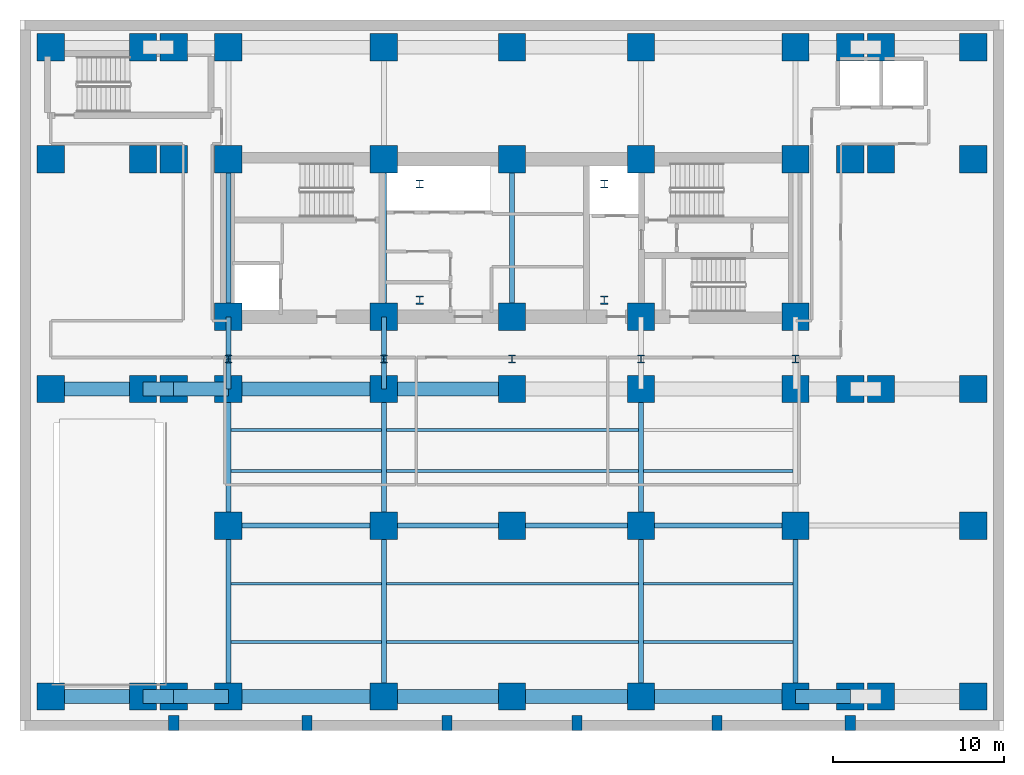
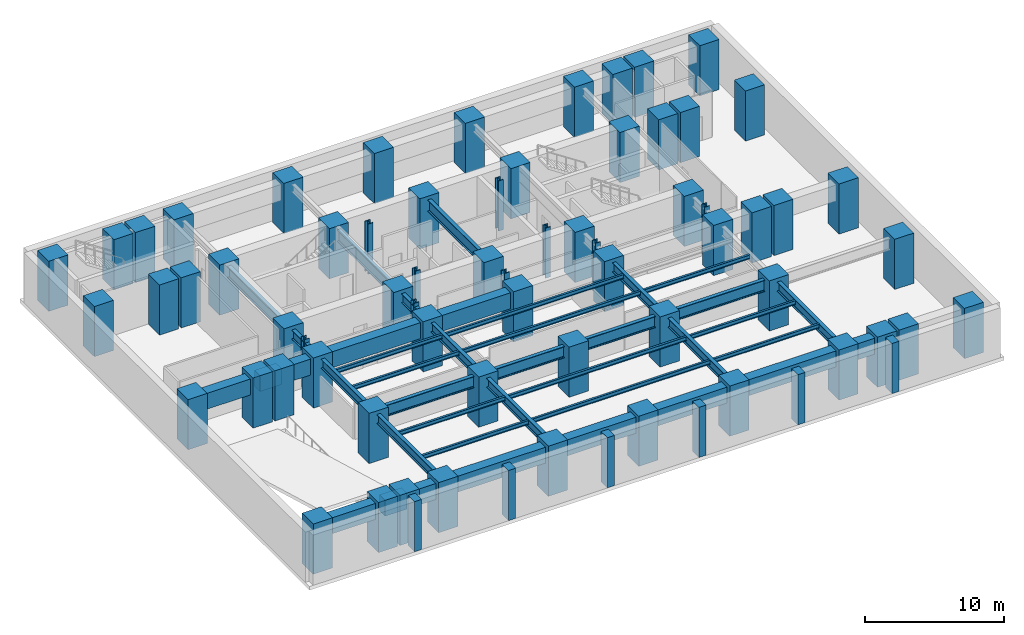
# One storey, part 1 of 9: 70 columns, 41 beams.
"""IFC4 building model written with IfcOpenShell, lengths in metres."""

from ifc_helpers import new_model, si_unit, direction, frame, origin, origin_2d, place, context, subcontext, project, spatial, rectangle, i_section, extrude, material, material_profile, profile_set, type_object, element, save


model = new_model("IFC4")

# Units and contexts
model_context = context("Model", 3, precision=1e-05, world=origin(), true_north=direction((0.0, 1.0)))
body_context = subcontext(model_context, "Body", "Model", "MODEL_VIEW")
ifc_project = project(units=[si_unit("LENGTHUNIT", "METRE"), si_unit("AREAUNIT", "SQUARE_METRE"), si_unit("VOLUMEUNIT", "CUBIC_METRE"), si_unit("PLANEANGLEUNIT", "RADIAN"), si_unit("MASSUNIT", "GRAM", prefix="KILO")], contexts=[model_context])

# Site, building, storey
site_placement = place(None, origin())
site = spatial("IfcSite", under=ifc_project, at=site_placement, CompositionType="ELEMENT")
building_placement = place(site_placement, origin())
building = spatial("IfcBuilding", under=site, at=building_placement, Name="Zarnavel Station Tower", CompositionType="ELEMENT")
storey_placement = place(building_placement, frame((0.0, 0.0, -8.800048828125)))
storey = spatial("IfcBuildingStorey", under=building, at=storey_placement, Name="B02", CompositionType="ELEMENT", Elevation=-8.800048828125)

# Columns
ifc_material_1 = material(Name="Steel S460M", Category="steel")
ifc_material_profile_1 = material_profile(ifc_material_1, i_section(OverallWidth=0.41796875, OverallDepth=0.48095703125, WebThickness=0.04345703125, FlangeThickness=0.068115234375, FilletRadius=0.014892578125, at=origin_2d()), Name="HD400x677")
ifc_profile_set_1 = profile_set([ifc_material_profile_1], Name="Steel S460M")
column_type_1 = type_object("IfcColumnType", Name="IC_HD677", PredefinedType="COLUMN", material=ifc_profile_set_1)
for number, where, z_axis, x_axis, name in (
    (1, (23.39990234375, 28.800048828125, 0.0), (0.0, 0.0, 1.0), (1.0, 0.0, 0.0), "B02 Mast Spine Column 1"),
    (2, (34.199951171875, 28.800048828125, 0.0), (0.0, 0.0, 1.0), (1.0, 0.0, 0.0), "B02 Mast Spine Column 2"),
    (3, (34.199951171875, 35.60009765625, 0.0), (0.0, 0.0, 1.0), (1.0, 0.0, 0.0), "B02 Mast Spine Column 3"),
    (4, (23.39990234375, 35.60009765625, 0.0), (0.0, 0.0, 1.0), (1.0, 0.0, 0.0), "B02 Mast Spine Column 4"),
    (5, (12.199951171875, 25.35009765625, 0.0), (0.0, 0.0, 1.0), (1.0, 0.0, 0.0), "B02 Inner Spine Column 1"),
    (6, (21.300048828125, 25.35009765625, 0.0), (0.0, 0.0, 1.0), (1.0, 0.0, 0.0), "B02 Inner Spine Column 2"),
    (7, (28.800048828125, 25.35009765625, 0.0), (0.0, 0.0, 1.0), (1.0, 0.0, 0.0), "B02 Inner Spine Column 3"),
    (8, (36.35009765625, 25.35009765625, 0.0), (0.0, 0.0, 1.0), (1.0, 0.0, 0.0), "B02 Inner Spine Column 4"),
    (9, (45.39990234375, 25.35009765625, 0.0), (0.0, 0.0, 1.0), (1.0, 0.0, 0.0), "B02 Inner Spine Column 5"),
):
    element("IfcColumn", number, at=place(storey_placement, frame(where, z_axis=z_axis, x_axis=x_axis)), inside=storey, type_object=column_type_1, Name=name, PredefinedType="COLUMN", context=body_context, shape_type="SweptSolid", body=[
        extrude(i_section(OverallWidth=0.41796875, OverallDepth=0.48095703125, WebThickness=0.04345703125, FlangeThickness=0.068115234375, FilletRadius=0.014892578125, at=origin_2d()), origin(), (0.0, 0.0, 1.0), 4.400146484375),
    ])
ifc_material_2 = material(Name="Concrete C60/75", Category="concrete")
ifc_material_profile_2 = material_profile(ifc_material_2, rectangle(XDim=1.60009765625, YDim=1.60009765625, at=origin_2d()), Name="RC1600x1600")
ifc_profile_set_2 = profile_set([ifc_material_profile_2], Name="Concrete C60/75")
column_type_2 = type_object("IfcColumnType", Name="IC_RC1600", PredefinedType="COLUMN", material=ifc_profile_set_2)
for number, where, z_axis, x_axis, name in (
    (10, (12.199951171875, 27.820068359375, 0.0), (0.0, 0.0, 1.0), (1.0, 0.0, 0.0), "B02 Core Spine Column 1-1"),
    (11, (12.199951171875, 37.050048828125, 0.0), (0.0, 0.0, 1.0), (1.0, 0.0, 0.0), "B02 Core Spine Column 1-2"),
    (12, (21.300048828125, 27.820068359375, 0.0), (0.0, 0.0, 1.0), (1.0, 0.0, 0.0), "B02 Core Spine Column 2-1"),
    (13, (21.300048828125, 37.050048828125, 0.0), (0.0, 0.0, 1.0), (1.0, 0.0, 0.0), "B02 Core Spine Column 2-2"),
    (14, (28.800048828125, 27.820068359375, 0.0), (0.0, 0.0, 1.0), (1.0, 0.0, 0.0), "B02 Core Spine Column 3-1"),
    (15, (28.800048828125, 37.050048828125, 0.0), (0.0, 0.0, 1.0), (1.0, 0.0, 0.0), "B02 Core Spine Column 3-2"),
    (16, (36.35009765625, 27.820068359375, 0.0), (0.0, 0.0, 1.0), (1.0, 0.0, 0.0), "B02 Core Spine Column 4-1"),
    (17, (36.35009765625, 37.050048828125, 0.0), (0.0, 0.0, 1.0), (1.0, 0.0, 0.0), "B02 Core Spine Column 4-2"),
    (18, (45.39990234375, 27.820068359375, 0.0), (0.0, 0.0, 1.0), (1.0, 0.0, 0.0), "B02 Core Spine Column 5-1"),
    (19, (45.39990234375, 37.050048828125, 0.0), (0.0, 0.0, 1.0), (1.0, 0.0, 0.0), "B02 Core Spine Column 5-2"),
    (20, (1.800048828125, 5.60009765625, 0.0), (0.0, 0.0, 1.0), (1.0, 0.0, 0.0), "B02 Podium Column 1-1"),
    (21, (1.800048828125, 23.60009765625, 0.0), (0.0, 0.0, 1.0), (1.0, 0.0, 0.0), "B02 Podium Column 1-3"),
    (22, (1.800048828125, 37.050048828125, 0.0), (0.0, 0.0, 1.0), (1.0, 0.0, 0.0), "B02 Podium Column 1-4"),
    (23, (1.800048828125, 43.60009765625, 0.0), (0.0, 0.0, 1.0), (1.0, 0.0, 0.0), "B02 Podium Column 1-5"),
    (24, (7.199951171875, 5.60009765625, 0.0), (0.0, 0.0, 1.0), (1.0, 0.0, 0.0), "B02 Podium Column 2-1"),
    (25, (7.199951171875, 23.60009765625, 0.0), (0.0, 0.0, 1.0), (1.0, 0.0, 0.0), "B02 Podium Column 2-3"),
    (26, (7.199951171875, 37.050048828125, 0.0), (0.0, 0.0, 1.0), (1.0, 0.0, 0.0), "B02 Podium Column 2-4"),
    (27, (7.199951171875, 43.60009765625, 0.0), (0.0, 0.0, 1.0), (1.0, 0.0, 0.0), "B02 Podium Column 2-5"),
    (28, (9.0, 5.60009765625, 0.0), (0.0, 0.0, 1.0), (1.0, 0.0, 0.0), "B02 Podium Column 3-1"),
    (29, (9.0, 23.60009765625, 0.0), (0.0, 0.0, 1.0), (1.0, 0.0, 0.0), "B02 Podium Column 3-3"),
    (30, (9.0, 37.050048828125, 0.0), (0.0, 0.0, 1.0), (1.0, 0.0, 0.0), "B02 Podium Column 3-4"),
    (31, (9.0, 43.60009765625, 0.0), (0.0, 0.0, 1.0), (1.0, 0.0, 0.0), "B02 Podium Column 3-5"),
    (32, (12.199951171875, 5.60009765625, 0.0), (0.0, 0.0, 1.0), (1.0, 0.0, 0.0), "B02 Podium Column 4-1"),
    (33, (12.199951171875, 15.60009765625, 0.0), (0.0, 0.0, 1.0), (1.0, 0.0, 0.0), "B02 Podium Column 4-2"),
    (34, (12.199951171875, 23.60009765625, 0.0), (0.0, 0.0, 1.0), (1.0, 0.0, 0.0), "B02 Podium Column 4-3"),
    (35, (12.199951171875, 43.60009765625, 0.0), (0.0, 0.0, 1.0), (1.0, 0.0, 0.0), "B02 Podium Column 4-5"),
    (36, (21.300048828125, 5.60009765625, 0.0), (0.0, 0.0, 1.0), (1.0, 0.0, 0.0), "B02 Podium Column 5-1"),
    (37, (21.300048828125, 15.60009765625, 0.0), (0.0, 0.0, 1.0), (1.0, 0.0, 0.0), "B02 Podium Column 5-2"),
    (38, (21.300048828125, 23.60009765625, 0.0), (0.0, 0.0, 1.0), (1.0, 0.0, 0.0), "B02 Podium Column 5-3"),
    (39, (21.300048828125, 43.60009765625, 0.0), (0.0, 0.0, 1.0), (1.0, 0.0, 0.0), "B02 Podium Column 5-5"),
    (40, (28.800048828125, 5.60009765625, 0.0), (0.0, 0.0, 1.0), (1.0, 0.0, 0.0), "B02 Podium Column 6-1"),
    (41, (28.800048828125, 15.60009765625, 0.0), (0.0, 0.0, 1.0), (1.0, 0.0, 0.0), "B02 Podium Column 6-2"),
    (42, (28.800048828125, 23.60009765625, 0.0), (0.0, 0.0, 1.0), (1.0, 0.0, 0.0), "B02 Podium Column 6-3"),
    (43, (28.800048828125, 43.60009765625, 0.0), (0.0, 0.0, 1.0), (1.0, 0.0, 0.0), "B02 Podium Column 6-5"),
    (44, (36.35009765625, 5.60009765625, 0.0), (0.0, 0.0, 1.0), (1.0, 0.0, 0.0), "B02 Podium Column 7-1"),
    (45, (36.35009765625, 15.60009765625, 0.0), (0.0, 0.0, 1.0), (1.0, 0.0, 0.0), "B02 Podium Column 7-2"),
    (46, (36.35009765625, 23.60009765625, 0.0), (0.0, 0.0, 1.0), (1.0, 0.0, 0.0), "B02 Podium Column 7-3"),
    (47, (36.35009765625, 43.60009765625, 0.0), (0.0, 0.0, 1.0), (1.0, 0.0, 0.0), "B02 Podium Column 7-5"),
    (48, (45.39990234375, 5.60009765625, 0.0), (0.0, 0.0, 1.0), (1.0, 0.0, 0.0), "B02 Podium Column 8-1"),
    (49, (45.39990234375, 15.60009765625, 0.0), (0.0, 0.0, 1.0), (1.0, 0.0, 0.0), "B02 Podium Column 8-2"),
    (50, (45.39990234375, 23.60009765625, 0.0), (0.0, 0.0, 1.0), (1.0, 0.0, 0.0), "B02 Podium Column 8-3"),
    (51, (45.39990234375, 43.60009765625, 0.0), (0.0, 0.0, 1.0), (1.0, 0.0, 0.0), "B02 Podium Column 8-5"),
    (52, (48.60009765625, 5.60009765625, 0.0), (0.0, 0.0, 1.0), (1.0, 0.0, 0.0), "B02 Podium Column 9-1"),
    (53, (48.60009765625, 23.60009765625, 0.0), (0.0, 0.0, 1.0), (1.0, 0.0, 0.0), "B02 Podium Column 9-3"),
    (54, (48.60009765625, 37.050048828125, 0.0), (0.0, 0.0, 1.0), (1.0, 0.0, 0.0), "B02 Podium Column 9-4"),
    (55, (48.60009765625, 43.60009765625, 0.0), (0.0, 0.0, 1.0), (1.0, 0.0, 0.0), "B02 Podium Column 9-5"),
    (56, (50.39990234375, 5.60009765625, 0.0), (0.0, 0.0, 1.0), (1.0, 0.0, 0.0), "B02 Podium Column 10-1"),
    (57, (50.39990234375, 23.60009765625, 0.0), (0.0, 0.0, 1.0), (1.0, 0.0, 0.0), "B02 Podium Column 10-3"),
    (58, (50.39990234375, 37.050048828125, 0.0), (0.0, 0.0, 1.0), (1.0, 0.0, 0.0), "B02 Podium Column 10-4"),
    (59, (50.39990234375, 43.60009765625, 0.0), (0.0, 0.0, 1.0), (1.0, 0.0, 0.0), "B02 Podium Column 10-5"),
    (60, (55.800048828125, 5.60009765625, 0.0), (0.0, 0.0, 1.0), (1.0, 0.0, 0.0), "B02 Podium Column 11-1"),
    (61, (55.800048828125, 15.60009765625, 0.0), (0.0, 0.0, 1.0), (1.0, 0.0, 0.0), "B02 Podium Column 11-2"),
    (62, (55.800048828125, 23.60009765625, 0.0), (0.0, 0.0, 1.0), (1.0, 0.0, 0.0), "B02 Podium Column 11-3"),
    (63, (55.800048828125, 37.050048828125, 0.0), (0.0, 0.0, 1.0), (1.0, 0.0, 0.0), "B02 Podium Column 11-4"),
    (64, (55.800048828125, 43.60009765625, 0.0), (0.0, 0.0, 1.0), (1.0, 0.0, 0.0), "B02 Podium Column 11-5"),
):
    element("IfcColumn", number, at=place(storey_placement, frame(where, z_axis=z_axis, x_axis=x_axis)), inside=storey, type_object=column_type_2, Name=name, PredefinedType="COLUMN", context=body_context, shape_type="SweptSolid", body=[
        extrude(rectangle(XDim=1.60009765625, YDim=1.60009765625, at=origin_2d()), origin(), (0.0, 0.0, 1.0), 4.400146484375),
    ])
ifc_material_3 = material(Name="Precast concrete C45/55", Category="concrete")
ifc_material_profile_3 = material_profile(ifc_material_3, rectangle(XDim=0.60009765625, YDim=0.89990234375, at=origin_2d()), Name="RC600x900")
ifc_profile_set_3 = profile_set([ifc_material_profile_3], Name="Precast concrete C45/55")
column_type_3 = type_object("IfcColumnType", Name="PL_BASALT", PredefinedType="PILASTER", material=ifc_profile_set_3)
for number, where, z_axis, x_axis, name in (
    (65, (9.0, 4.050048828125, 0.0), (0.0, 0.0, 1.0), (1.0, 0.0, 0.0), "B02 Basalt Facade Pilaster S1"),
    (66, (16.800048828125, 4.050048828125, 0.0), (0.0, 0.0, 1.0), (1.0, 0.0, 0.0), "B02 Basalt Facade Pilaster S2"),
    (67, (25.0, 4.050048828125, 0.0), (0.0, 0.0, 1.0), (1.0, 0.0, 0.0), "B02 Basalt Facade Pilaster S3"),
    (68, (32.60009765625, 4.050048828125, 0.0), (0.0, 0.0, 1.0), (1.0, 0.0, 0.0), "B02 Basalt Facade Pilaster S4"),
    (69, (40.800048828125, 4.050048828125, 0.0), (0.0, 0.0, 1.0), (1.0, 0.0, 0.0), "B02 Basalt Facade Pilaster S5"),
    (70, (48.60009765625, 4.050048828125, 0.0), (0.0, 0.0, 1.0), (1.0, 0.0, 0.0), "B02 Basalt Facade Pilaster S6"),
):
    element("IfcColumn", number, at=place(storey_placement, frame(where, z_axis=z_axis, x_axis=x_axis)), inside=storey, type_object=column_type_3, Name=name, PredefinedType="PILASTER", context=body_context, shape_type="SweptSolid", body=[
        extrude(rectangle(XDim=0.60009765625, YDim=0.89990234375, at=origin_2d()), origin(), (0.0, 0.0, 1.0), 4.400146484375),
    ])

# Beams
ifc_material_4 = material(Name="Steel S460M", Category="steel")
ifc_material_profile_4 = material_profile(ifc_material_4, i_section(OverallWidth=0.302978515625, OverallDepth=0.81396484375, WebThickness=0.02099609375, FlangeThickness=0.0400390625, FilletRadius=0.030029296875, at=origin_2d()), Name="HEM800")
ifc_profile_set_4 = profile_set([ifc_material_profile_4], Name="Steel S460M")
beam_type_1 = type_object("IfcBeamType", Name="FG_HEM800", PredefinedType="USERDEFINED", material=ifc_profile_set_4)
beam_1_placement = place(storey_placement, frame((12.199951171875, 5.60009765625, 3.673095703125), z_axis=(0.0, 1.0, 0.0), x_axis=(-1.0, 0.0, 0.0)))
element("IfcBeam", 71, at=beam_1_placement, inside=storey, type_object=beam_type_1, Name="B02 NS Girder South 1", ObjectType="GIRDER", PredefinedType="USERDEFINED", context=body_context, shape_type="SweptSolid", body=[
    extrude(i_section(OverallWidth=0.302978515625, OverallDepth=0.81396484375, WebThickness=0.02099609375, FlangeThickness=0.0400390625, FilletRadius=0.030029296875, at=origin_2d()), origin(), (0.0, 0.0, 1.0), 10.0),
])
beam_2_placement = place(storey_placement, frame((12.199951171875, 15.60009765625, 3.673095703125), z_axis=(0.0, 1.0, 0.0), x_axis=(-1.0, 0.0, 0.0)))
element("IfcBeam", 72, at=beam_2_placement, inside=storey, type_object=beam_type_1, Name="B02 NS Girder Mid 1", ObjectType="GIRDER", PredefinedType="USERDEFINED", context=body_context, shape_type="SweptSolid", body=[
    extrude(i_section(OverallWidth=0.302978515625, OverallDepth=0.81396484375, WebThickness=0.02099609375, FlangeThickness=0.0400390625, FilletRadius=0.030029296875, at=origin_2d()), origin(), (0.0, 0.0, 1.0), 8.0),
])
beam_3_placement = place(storey_placement, frame((12.199951171875, 23.60009765625, 3.673095703125), z_axis=(0.0, 1.0, 0.0), x_axis=(-1.0, 0.0, 0.0)))
element("IfcBeam", 73, at=beam_3_placement, inside=storey, type_object=beam_type_1, Name="B02 NS Girder Spine 1", ObjectType="GIRDER", PredefinedType="USERDEFINED", context=body_context, shape_type="SweptSolid", body=[
    extrude(i_section(OverallWidth=0.302978515625, OverallDepth=0.81396484375, WebThickness=0.02099609375, FlangeThickness=0.0400390625, FilletRadius=0.030029296875, at=origin_2d()), origin(), (0.0, 0.0, 1.0), 1.75),
])
beam_4_placement = place(storey_placement, frame((12.199951171875, 25.35009765625, 3.673095703125), z_axis=(0.0, 1.0, 0.0), x_axis=(-1.0, 0.0, 0.0)))
element("IfcBeam", 74, at=beam_4_placement, inside=storey, type_object=beam_type_1, Name="B02 NS Girder Core 1", ObjectType="GIRDER", PredefinedType="USERDEFINED", context=body_context, shape_type="SweptSolid", body=[
    extrude(i_section(OverallWidth=0.302978515625, OverallDepth=0.81396484375, WebThickness=0.02099609375, FlangeThickness=0.0400390625, FilletRadius=0.030029296875, at=origin_2d()), origin(), (0.0, 0.0, 1.0), 2.469970703125),
])
beam_5_placement = place(storey_placement, frame((21.300048828125, 5.60009765625, 3.673095703125), z_axis=(0.0, 1.0, 0.0), x_axis=(-1.0, 0.0, 0.0)))
element("IfcBeam", 75, at=beam_5_placement, inside=storey, type_object=beam_type_1, Name="B02 NS Girder South 2", ObjectType="GIRDER", PredefinedType="USERDEFINED", context=body_context, shape_type="SweptSolid", body=[
    extrude(i_section(OverallWidth=0.302978515625, OverallDepth=0.81396484375, WebThickness=0.02099609375, FlangeThickness=0.0400390625, FilletRadius=0.030029296875, at=origin_2d()), origin(), (0.0, 0.0, 1.0), 10.0),
])
beam_6_placement = place(storey_placement, frame((21.300048828125, 15.60009765625, 3.673095703125), z_axis=(0.0, 1.0, 0.0), x_axis=(-1.0, 0.0, 0.0)))
element("IfcBeam", 76, at=beam_6_placement, inside=storey, type_object=beam_type_1, Name="B02 NS Girder Mid 2", ObjectType="GIRDER", PredefinedType="USERDEFINED", context=body_context, shape_type="SweptSolid", body=[
    extrude(i_section(OverallWidth=0.302978515625, OverallDepth=0.81396484375, WebThickness=0.02099609375, FlangeThickness=0.0400390625, FilletRadius=0.030029296875, at=origin_2d()), origin(), (0.0, 0.0, 1.0), 8.0),
])
beam_7_placement = place(storey_placement, frame((21.300048828125, 23.60009765625, 3.673095703125), z_axis=(0.0, 1.0, 0.0), x_axis=(-1.0, 0.0, 0.0)))
element("IfcBeam", 77, at=beam_7_placement, inside=storey, type_object=beam_type_1, Name="B02 NS Girder Spine 2", ObjectType="GIRDER", PredefinedType="USERDEFINED", context=body_context, shape_type="SweptSolid", body=[
    extrude(i_section(OverallWidth=0.302978515625, OverallDepth=0.81396484375, WebThickness=0.02099609375, FlangeThickness=0.0400390625, FilletRadius=0.030029296875, at=origin_2d()), origin(), (0.0, 0.0, 1.0), 1.75),
])
beam_8_placement = place(storey_placement, frame((21.300048828125, 25.35009765625, 3.673095703125), z_axis=(0.0, 1.0, 0.0), x_axis=(-1.0, 0.0, 0.0)))
element("IfcBeam", 78, at=beam_8_placement, inside=storey, type_object=beam_type_1, Name="B02 NS Girder Core 2", ObjectType="GIRDER", PredefinedType="USERDEFINED", context=body_context, shape_type="SweptSolid", body=[
    extrude(i_section(OverallWidth=0.302978515625, OverallDepth=0.81396484375, WebThickness=0.02099609375, FlangeThickness=0.0400390625, FilletRadius=0.030029296875, at=origin_2d()), origin(), (0.0, 0.0, 1.0), 2.469970703125),
])
beam_9_placement = place(storey_placement, frame((36.35009765625, 5.60009765625, 3.673095703125), z_axis=(0.0, 1.0, 0.0), x_axis=(-1.0, 0.0, 0.0)))
element("IfcBeam", 79, at=beam_9_placement, inside=storey, type_object=beam_type_1, Name="B02 NS Girder South 3", ObjectType="GIRDER", PredefinedType="USERDEFINED", context=body_context, shape_type="SweptSolid", body=[
    extrude(i_section(OverallWidth=0.302978515625, OverallDepth=0.81396484375, WebThickness=0.02099609375, FlangeThickness=0.0400390625, FilletRadius=0.030029296875, at=origin_2d()), origin(), (0.0, 0.0, 1.0), 10.0),
])
beam_10_placement = place(storey_placement, frame((36.35009765625, 15.60009765625, 3.673095703125), z_axis=(0.0, 1.0, 0.0), x_axis=(-1.0, 0.0, 0.0)))
element("IfcBeam", 80, at=beam_10_placement, inside=storey, type_object=beam_type_1, Name="B02 NS Girder Mid 3", ObjectType="GIRDER", PredefinedType="USERDEFINED", context=body_context, shape_type="SweptSolid", body=[
    extrude(i_section(OverallWidth=0.302978515625, OverallDepth=0.81396484375, WebThickness=0.02099609375, FlangeThickness=0.0400390625, FilletRadius=0.030029296875, at=origin_2d()), origin(), (0.0, 0.0, 1.0), 8.0),
])
beam_11_placement = place(storey_placement, frame((45.39990234375, 5.60009765625, 3.673095703125), z_axis=(0.0, 1.0, 0.0), x_axis=(-1.0, 0.0, 0.0)))
element("IfcBeam", 81, at=beam_11_placement, inside=storey, type_object=beam_type_1, Name="B02 NS Girder South 4", ObjectType="GIRDER", PredefinedType="USERDEFINED", context=body_context, shape_type="SweptSolid", body=[
    extrude(i_section(OverallWidth=0.302978515625, OverallDepth=0.81396484375, WebThickness=0.02099609375, FlangeThickness=0.0400390625, FilletRadius=0.030029296875, at=origin_2d()), origin(), (0.0, 0.0, 1.0), 10.0),
])
ifc_material_5 = material(Name="Concrete C45/55", Category="concrete")
ifc_material_profile_5 = material_profile(ifc_material_5, rectangle(XDim=0.800048828125, YDim=1.39990234375, at=origin_2d()), Name="RC800x1400")
ifc_profile_set_5 = profile_set([ifc_material_profile_5], Name="Concrete C45/55")
beam_type_2 = type_object("IfcBeamType", Name="FG_RC800x1400", PredefinedType="USERDEFINED", material=ifc_profile_set_5)
beam_12_placement = place(storey_placement, frame((1.800048828125, 5.60009765625, 3.380126953125), z_axis=(1.0, 0.0, 0.0), x_axis=(0.0, 1.0, 0.0)))
element("IfcBeam", 82, at=beam_12_placement, inside=storey, type_object=beam_type_2, Name="B02 EW Frame Girder 1-1", ObjectType="GIRDER", PredefinedType="USERDEFINED", context=body_context, shape_type="SweptSolid", body=[
    extrude(rectangle(XDim=0.800048828125, YDim=1.39990234375, at=origin_2d()), origin(), (0.0, 0.0, 1.0), 5.39990234375),
])
beam_13_placement = place(storey_placement, frame((7.199951171875, 5.60009765625, 3.380126953125), z_axis=(1.0, 0.0, 0.0), x_axis=(0.0, 1.0, 0.0)))
element("IfcBeam", 83, at=beam_13_placement, inside=storey, type_object=beam_type_2, Name="B02 EW Frame Girder 1-2", ObjectType="GIRDER", PredefinedType="USERDEFINED", context=body_context, shape_type="SweptSolid", body=[
    extrude(rectangle(XDim=0.800048828125, YDim=1.39990234375, at=origin_2d()), origin(), (0.0, 0.0, 1.0), 1.800048828125),
])
beam_14_placement = place(storey_placement, frame((9.0, 5.60009765625, 3.380126953125), z_axis=(1.0, 0.0, 0.0), x_axis=(0.0, 1.0, 0.0)))
element("IfcBeam", 84, at=beam_14_placement, inside=storey, type_object=beam_type_2, Name="B02 EW Frame Girder 1-3", ObjectType="GIRDER", PredefinedType="USERDEFINED", context=body_context, shape_type="SweptSolid", body=[
    extrude(rectangle(XDim=0.800048828125, YDim=1.39990234375, at=origin_2d()), origin(), (0.0, 0.0, 1.0), 3.199951171875),
])
beam_15_placement = place(storey_placement, frame((12.199951171875, 5.60009765625, 3.380126953125), z_axis=(1.0, 0.0, 0.0), x_axis=(0.0, 1.0, 0.0)))
element("IfcBeam", 85, at=beam_15_placement, inside=storey, type_object=beam_type_2, Name="B02 EW Frame Girder 1-4", ObjectType="GIRDER", PredefinedType="USERDEFINED", context=body_context, shape_type="SweptSolid", body=[
    extrude(rectangle(XDim=0.800048828125, YDim=1.39990234375, at=origin_2d()), origin(), (0.0, 0.0, 1.0), 9.10009765625),
])
beam_16_placement = place(storey_placement, frame((21.300048828125, 5.60009765625, 3.380126953125), z_axis=(1.0, 0.0, 0.0), x_axis=(0.0, 1.0, 0.0)))
element("IfcBeam", 86, at=beam_16_placement, inside=storey, type_object=beam_type_2, Name="B02 EW Frame Girder 1-5", ObjectType="GIRDER", PredefinedType="USERDEFINED", context=body_context, shape_type="SweptSolid", body=[
    extrude(rectangle(XDim=0.800048828125, YDim=1.39990234375, at=origin_2d()), origin(), (0.0, 0.0, 1.0), 7.5),
])
beam_17_placement = place(storey_placement, frame((28.800048828125, 5.60009765625, 3.380126953125), z_axis=(1.0, 0.0, 0.0), x_axis=(0.0, 1.0, 0.0)))
element("IfcBeam", 87, at=beam_17_placement, inside=storey, type_object=beam_type_2, Name="B02 EW Frame Girder 1-6", ObjectType="GIRDER", PredefinedType="USERDEFINED", context=body_context, shape_type="SweptSolid", body=[
    extrude(rectangle(XDim=0.800048828125, YDim=1.39990234375, at=origin_2d()), origin(), (0.0, 0.0, 1.0), 7.550048828125),
])
beam_18_placement = place(storey_placement, frame((36.35009765625, 5.60009765625, 3.380126953125), z_axis=(1.0, 0.0, 0.0), x_axis=(0.0, 1.0, 0.0)))
element("IfcBeam", 88, at=beam_18_placement, inside=storey, type_object=beam_type_2, Name="B02 EW Frame Girder 1-7", ObjectType="GIRDER", PredefinedType="USERDEFINED", context=body_context, shape_type="SweptSolid", body=[
    extrude(rectangle(XDim=0.800048828125, YDim=1.39990234375, at=origin_2d()), origin(), (0.0, 0.0, 1.0), 9.0498046875),
])
beam_19_placement = place(storey_placement, frame((45.39990234375, 5.60009765625, 3.380126953125), z_axis=(1.0, 0.0, 0.0), x_axis=(0.0, 1.0, 0.0)))
element("IfcBeam", 89, at=beam_19_placement, inside=storey, type_object=beam_type_2, Name="B02 EW Frame Girder 1-8", ObjectType="GIRDER", PredefinedType="USERDEFINED", context=body_context, shape_type="SweptSolid", body=[
    extrude(rectangle(XDim=0.800048828125, YDim=1.39990234375, at=origin_2d()), origin(), (0.0, 0.0, 1.0), 3.2001953125),
])
beam_20_placement = place(storey_placement, frame((1.800048828125, 23.60009765625, 3.380126953125), z_axis=(1.0, 0.0, 0.0), x_axis=(0.0, 1.0, 0.0)))
element("IfcBeam", 90, at=beam_20_placement, inside=storey, type_object=beam_type_2, Name="B02 EW Frame Girder 2-1", ObjectType="GIRDER", PredefinedType="USERDEFINED", context=body_context, shape_type="SweptSolid", body=[
    extrude(rectangle(XDim=0.800048828125, YDim=1.39990234375, at=origin_2d()), origin(), (0.0, 0.0, 1.0), 5.39990234375),
])
beam_21_placement = place(storey_placement, frame((7.199951171875, 23.60009765625, 3.380126953125), z_axis=(1.0, 0.0, 0.0), x_axis=(0.0, 1.0, 0.0)))
element("IfcBeam", 91, at=beam_21_placement, inside=storey, type_object=beam_type_2, Name="B02 EW Frame Girder 2-2", ObjectType="GIRDER", PredefinedType="USERDEFINED", context=body_context, shape_type="SweptSolid", body=[
    extrude(rectangle(XDim=0.800048828125, YDim=1.39990234375, at=origin_2d()), origin(), (0.0, 0.0, 1.0), 1.800048828125),
])
beam_22_placement = place(storey_placement, frame((9.0, 23.60009765625, 3.380126953125), z_axis=(1.0, 0.0, 0.0), x_axis=(0.0, 1.0, 0.0)))
element("IfcBeam", 92, at=beam_22_placement, inside=storey, type_object=beam_type_2, Name="B02 EW Frame Girder 2-3", ObjectType="GIRDER", PredefinedType="USERDEFINED", context=body_context, shape_type="SweptSolid", body=[
    extrude(rectangle(XDim=0.800048828125, YDim=1.39990234375, at=origin_2d()), origin(), (0.0, 0.0, 1.0), 3.199951171875),
])
beam_23_placement = place(storey_placement, frame((12.199951171875, 23.60009765625, 3.380126953125), z_axis=(1.0, 0.0, 0.0), x_axis=(0.0, 1.0, 0.0)))
element("IfcBeam", 93, at=beam_23_placement, inside=storey, type_object=beam_type_2, Name="B02 EW Frame Girder 2-4", ObjectType="GIRDER", PredefinedType="USERDEFINED", context=body_context, shape_type="SweptSolid", body=[
    extrude(rectangle(XDim=0.800048828125, YDim=1.39990234375, at=origin_2d()), origin(), (0.0, 0.0, 1.0), 9.10009765625),
])
beam_24_placement = place(storey_placement, frame((21.300048828125, 23.60009765625, 3.380126953125), z_axis=(1.0, 0.0, 0.0), x_axis=(0.0, 1.0, 0.0)))
element("IfcBeam", 94, at=beam_24_placement, inside=storey, type_object=beam_type_2, Name="B02 EW Frame Girder 2-5", ObjectType="GIRDER", PredefinedType="USERDEFINED", context=body_context, shape_type="SweptSolid", body=[
    extrude(rectangle(XDim=0.800048828125, YDim=1.39990234375, at=origin_2d()), origin(), (0.0, 0.0, 1.0), 7.5),
])
ifc_material_6 = material(Name="Steel S355J2", Category="steel")
ifc_material_profile_6 = material_profile(ifc_material_6, i_section(OverallWidth=0.169921875, OverallDepth=0.360107421875, WebThickness=0.008056640625, FlangeThickness=0.0126953125, FilletRadius=0.01806640625, at=origin_2d()), Name="IPE360")
ifc_profile_set_6 = profile_set([ifc_material_profile_6], Name="Steel S355J2")
beam_type_3 = type_object("IfcBeamType", Name="FJ_IPE360", PredefinedType="JOIST", material=ifc_profile_set_6)
beam_25_placement = place(storey_placement, frame((12.344970703125, 8.800048828125, 3.900146484375), z_axis=(1.0, 0.0, 0.0), x_axis=(0.0, 1.0, 0.0)))
element("IfcBeam", 95, at=beam_25_placement, inside=storey, type_object=beam_type_3, Name="B02 Floor Joist W1", PredefinedType="JOIST", context=body_context, shape_type="SweptSolid", body=[
    extrude(i_section(OverallWidth=0.169921875, OverallDepth=0.360107421875, WebThickness=0.008056640625, FlangeThickness=0.0126953125, FilletRadius=0.01806640625, at=origin_2d()), origin(), (0.0, 0.0, 1.0), 8.81005859375),
])
beam_26_placement = place(storey_placement, frame((21.445068359375, 8.800048828125, 3.900146484375), z_axis=(1.0, 0.0, 0.0), x_axis=(0.0, 1.0, 0.0)))
element("IfcBeam", 96, at=beam_26_placement, inside=storey, type_object=beam_type_3, Name="B02 Floor Joist M1", PredefinedType="JOIST", context=body_context, shape_type="SweptSolid", body=[
    extrude(i_section(OverallWidth=0.169921875, OverallDepth=0.360107421875, WebThickness=0.008056640625, FlangeThickness=0.0126953125, FilletRadius=0.01806640625, at=origin_2d()), origin(), (0.0, 0.0, 1.0), 14.760009765625),
])
beam_27_placement = place(storey_placement, frame((36.4951171875, 8.800048828125, 3.900146484375), z_axis=(1.0, 0.0, 0.0), x_axis=(0.0, 1.0, 0.0)))
element("IfcBeam", 97, at=beam_27_placement, inside=storey, type_object=beam_type_3, Name="B02 Floor Joist E1", PredefinedType="JOIST", context=body_context, shape_type="SweptSolid", body=[
    extrude(i_section(OverallWidth=0.169921875, OverallDepth=0.360107421875, WebThickness=0.008056640625, FlangeThickness=0.0126953125, FilletRadius=0.01806640625, at=origin_2d()), origin(), (0.0, 0.0, 1.0), 8.759765625),
])
beam_28_placement = place(storey_placement, frame((12.344970703125, 12.199951171875, 3.900146484375), z_axis=(1.0, 0.0, 0.0), x_axis=(0.0, 1.0, 0.0)))
element("IfcBeam", 98, at=beam_28_placement, inside=storey, type_object=beam_type_3, Name="B02 Floor Joist W2", PredefinedType="JOIST", context=body_context, shape_type="SweptSolid", body=[
    extrude(i_section(OverallWidth=0.169921875, OverallDepth=0.360107421875, WebThickness=0.008056640625, FlangeThickness=0.0126953125, FilletRadius=0.01806640625, at=origin_2d()), origin(), (0.0, 0.0, 1.0), 8.81005859375),
])
beam_29_placement = place(storey_placement, frame((21.445068359375, 12.199951171875, 3.900146484375), z_axis=(1.0, 0.0, 0.0), x_axis=(0.0, 1.0, 0.0)))
element("IfcBeam", 99, at=beam_29_placement, inside=storey, type_object=beam_type_3, Name="B02 Floor Joist M2", PredefinedType="JOIST", context=body_context, shape_type="SweptSolid", body=[
    extrude(i_section(OverallWidth=0.169921875, OverallDepth=0.360107421875, WebThickness=0.008056640625, FlangeThickness=0.0126953125, FilletRadius=0.01806640625, at=origin_2d()), origin(), (0.0, 0.0, 1.0), 14.760009765625),
])
beam_30_placement = place(storey_placement, frame((36.4951171875, 12.199951171875, 3.900146484375), z_axis=(1.0, 0.0, 0.0), x_axis=(0.0, 1.0, 0.0)))
element("IfcBeam", 100, at=beam_30_placement, inside=storey, type_object=beam_type_3, Name="B02 Floor Joist E2", PredefinedType="JOIST", context=body_context, shape_type="SweptSolid", body=[
    extrude(i_section(OverallWidth=0.169921875, OverallDepth=0.360107421875, WebThickness=0.008056640625, FlangeThickness=0.0126953125, FilletRadius=0.01806640625, at=origin_2d()), origin(), (0.0, 0.0, 1.0), 8.759765625),
])
beam_31_placement = place(storey_placement, frame((12.344970703125, 18.800048828125, 3.900146484375), z_axis=(1.0, 0.0, 0.0), x_axis=(0.0, 1.0, 0.0)))
element("IfcBeam", 101, at=beam_31_placement, inside=storey, type_object=beam_type_3, Name="B02 Floor Joist W3", PredefinedType="JOIST", context=body_context, shape_type="SweptSolid", body=[
    extrude(i_section(OverallWidth=0.169921875, OverallDepth=0.360107421875, WebThickness=0.008056640625, FlangeThickness=0.0126953125, FilletRadius=0.01806640625, at=origin_2d()), origin(), (0.0, 0.0, 1.0), 8.81005859375),
])
beam_32_placement = place(storey_placement, frame((21.445068359375, 18.800048828125, 3.900146484375), z_axis=(1.0, 0.0, 0.0), x_axis=(0.0, 1.0, 0.0)))
element("IfcBeam", 102, at=beam_32_placement, inside=storey, type_object=beam_type_3, Name="B02 Floor Joist M3", PredefinedType="JOIST", context=body_context, shape_type="SweptSolid", body=[
    extrude(i_section(OverallWidth=0.169921875, OverallDepth=0.360107421875, WebThickness=0.008056640625, FlangeThickness=0.0126953125, FilletRadius=0.01806640625, at=origin_2d()), origin(), (0.0, 0.0, 1.0), 14.760009765625),
])
beam_33_placement = place(storey_placement, frame((36.4951171875, 18.800048828125, 3.900146484375), z_axis=(1.0, 0.0, 0.0), x_axis=(0.0, 1.0, 0.0)))
element("IfcBeam", 103, at=beam_33_placement, inside=storey, type_object=beam_type_3, Name="B02 Floor Joist E3", PredefinedType="JOIST", context=body_context, shape_type="SweptSolid", body=[
    extrude(i_section(OverallWidth=0.169921875, OverallDepth=0.360107421875, WebThickness=0.008056640625, FlangeThickness=0.0126953125, FilletRadius=0.01806640625, at=origin_2d()), origin(), (0.0, 0.0, 1.0), 8.759765625),
])
beam_34_placement = place(storey_placement, frame((12.344970703125, 21.199951171875, 3.900146484375), z_axis=(1.0, 0.0, 0.0), x_axis=(0.0, 1.0, 0.0)))
element("IfcBeam", 104, at=beam_34_placement, inside=storey, type_object=beam_type_3, Name="B02 Floor Joist W4", PredefinedType="JOIST", context=body_context, shape_type="SweptSolid", body=[
    extrude(i_section(OverallWidth=0.169921875, OverallDepth=0.360107421875, WebThickness=0.008056640625, FlangeThickness=0.0126953125, FilletRadius=0.01806640625, at=origin_2d()), origin(), (0.0, 0.0, 1.0), 8.81005859375),
])
beam_35_placement = place(storey_placement, frame((21.445068359375, 21.199951171875, 3.900146484375), z_axis=(1.0, 0.0, 0.0), x_axis=(0.0, 1.0, 0.0)))
element("IfcBeam", 105, at=beam_35_placement, inside=storey, type_object=beam_type_3, Name="B02 Floor Joist M4", PredefinedType="JOIST", context=body_context, shape_type="SweptSolid", body=[
    extrude(i_section(OverallWidth=0.169921875, OverallDepth=0.360107421875, WebThickness=0.008056640625, FlangeThickness=0.0126953125, FilletRadius=0.01806640625, at=origin_2d()), origin(), (0.0, 0.0, 1.0), 14.760009765625),
])
ifc_material_7 = material(Name="Steel S460M", Category="steel")
ifc_material_profile_7 = material_profile(ifc_material_7, i_section(OverallWidth=0.302001953125, OverallDepth=1.008056640625, WebThickness=0.02099609375, FlangeThickness=0.0400390625, FilletRadius=0.030029296875, at=origin_2d()), Name="HEM1000")
ifc_profile_set_7 = profile_set([ifc_material_profile_7], Name="Steel S460M")
beam_type_4 = type_object("IfcBeamType", Name="TG_HEM1000", PredefinedType="USERDEFINED", material=ifc_profile_set_7)
for number, where, z_axis, x_axis, name in (
    (106, (12.199951171875, 27.820068359375, 3.575927734375), (0.0, 1.0, 0.0), (-1.0, 0.0, 0.0), "B02 Core Spine Coupling Girder 1"),
    (107, (21.300048828125, 27.820068359375, 3.575927734375), (0.0, 1.0, 0.0), (-1.0, 0.0, 0.0), "B02 Core Spine Coupling Girder 2"),
    (108, (28.800048828125, 27.820068359375, 3.575927734375), (0.0, 1.0, 0.0), (-1.0, 0.0, 0.0), "B02 Core Spine Coupling Girder 3"),
):
    element("IfcBeam", number, at=place(storey_placement, frame(where, z_axis=z_axis, x_axis=x_axis)), inside=storey, type_object=beam_type_4, Name=name, ObjectType="GIRDER", PredefinedType="USERDEFINED", context=body_context, shape_type="SweptSolid", body=[
        extrude(i_section(OverallWidth=0.302001953125, OverallDepth=1.008056640625, WebThickness=0.02099609375, FlangeThickness=0.0400390625, FilletRadius=0.030029296875, at=origin_2d()), origin(), (0.0, 0.0, 1.0), 9.22998046875),
    ])
beam_36_placement = place(storey_placement, frame((12.199951171875, 15.60009765625, 3.575927734375), z_axis=(1.0, 0.0, 0.0), x_axis=(0.0, 1.0, 0.0)))
element("IfcBeam", 109, at=beam_36_placement, inside=storey, type_object=beam_type_4, Name="B02 West Hall Girder", ObjectType="GIRDER", PredefinedType="USERDEFINED", context=body_context, shape_type="SweptSolid", body=[
    extrude(i_section(OverallWidth=0.302001953125, OverallDepth=1.008056640625, WebThickness=0.02099609375, FlangeThickness=0.0400390625, FilletRadius=0.030029296875, at=origin_2d()), origin(), (0.0, 0.0, 1.0), 9.10009765625),
])
beam_37_placement = place(storey_placement, frame((21.300048828125, 15.60009765625, 3.575927734375), z_axis=(1.0, 0.0, 0.0), x_axis=(0.0, 1.0, 0.0)))
element("IfcBeam", 110, at=beam_37_placement, inside=storey, type_object=beam_type_4, Name="B02 Concourse Long-Span Girder", ObjectType="GIRDER", PredefinedType="USERDEFINED", context=body_context, shape_type="SweptSolid", body=[
    extrude(i_section(OverallWidth=0.302001953125, OverallDepth=1.008056640625, WebThickness=0.02099609375, FlangeThickness=0.0400390625, FilletRadius=0.030029296875, at=origin_2d()), origin(), (0.0, 0.0, 1.0), 15.050048828125),
])
beam_38_placement = place(storey_placement, frame((36.35009765625, 15.60009765625, 3.575927734375), z_axis=(1.0, 0.0, 0.0), x_axis=(0.0, 1.0, 0.0)))
element("IfcBeam", 111, at=beam_38_placement, inside=storey, type_object=beam_type_4, Name="B02 East Hall Inner Girder", ObjectType="GIRDER", PredefinedType="USERDEFINED", context=body_context, shape_type="SweptSolid", body=[
    extrude(i_section(OverallWidth=0.302001953125, OverallDepth=1.008056640625, WebThickness=0.02099609375, FlangeThickness=0.0400390625, FilletRadius=0.030029296875, at=origin_2d()), origin(), (0.0, 0.0, 1.0), 9.0498046875),
])

save(model, "model.ifc")
